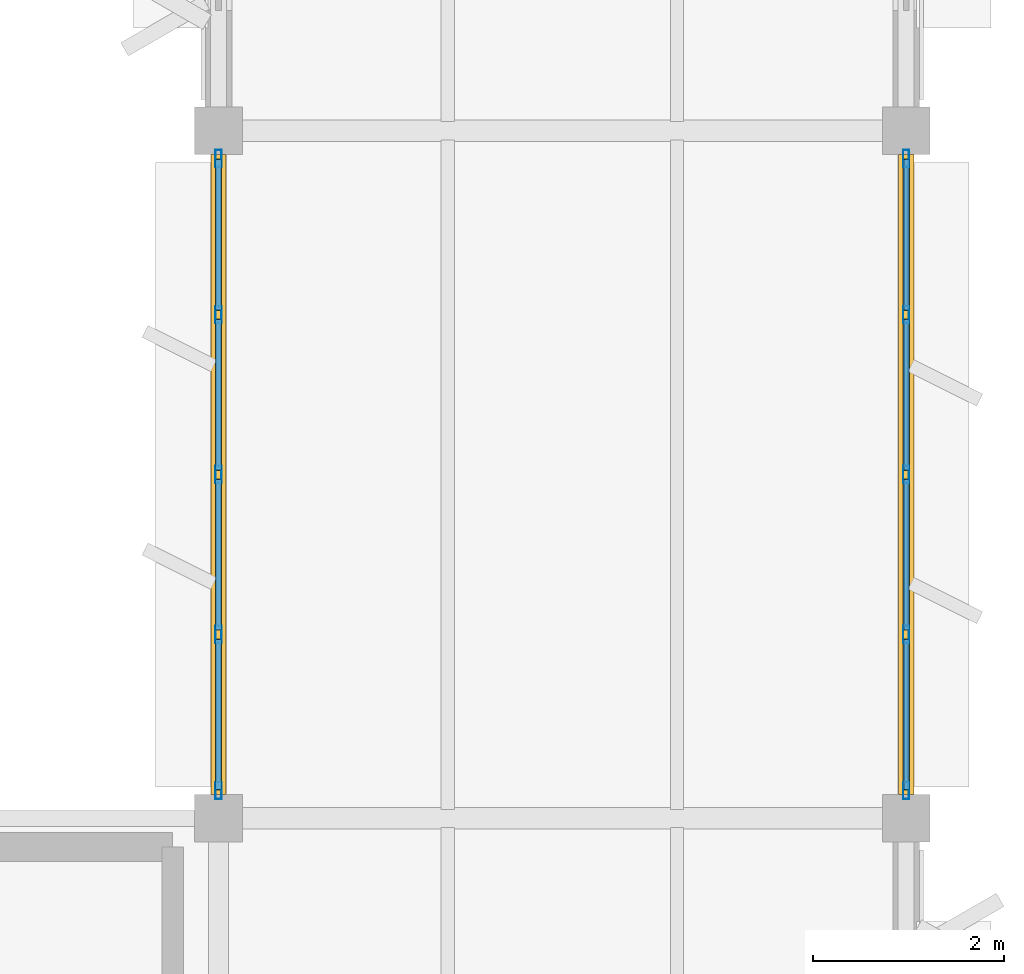
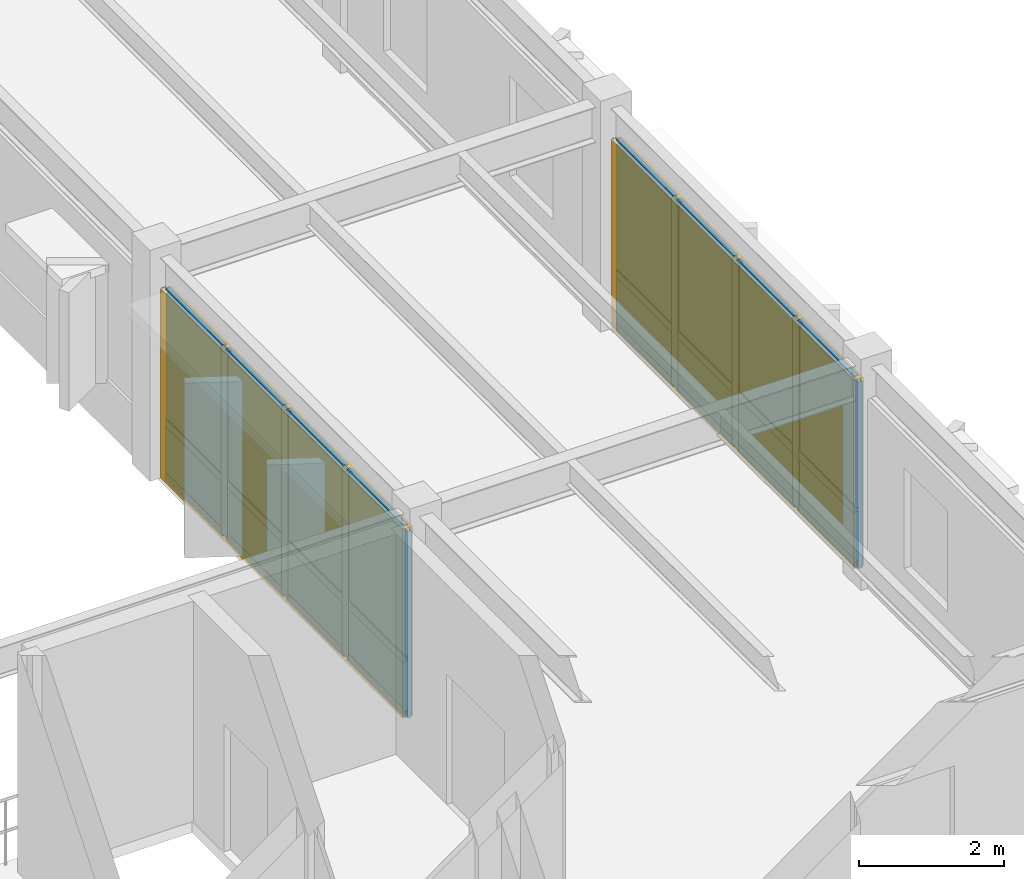
# One storey, part 12 of 23: 34 members, 16 plates, 2 curtain walls.
"""IFC4 building model written with IfcOpenShell, lengths in metres."""

from ifc_helpers import new_model, si_unit, direction, frame, origin, origin_2d, place, context, subcontext, project, spatial, rectangle, hollow_rectangle, extrude, material, layer, layer_set, material_profile, profile_set, type_object, element, aggregate, save


model = new_model("IFC4")

# Units and contexts
model_context = context("Model", 3, precision=1e-05, world=origin(), true_north=direction((0.0, 1.0)))
body_context = subcontext(model_context, "Body", "Model", "MODEL_VIEW")
ifc_project = project(units=[si_unit("LENGTHUNIT", "METRE"), si_unit("AREAUNIT", "SQUARE_METRE"), si_unit("VOLUMEUNIT", "CUBIC_METRE"), si_unit("PLANEANGLEUNIT", "RADIAN"), si_unit("MASSUNIT", "GRAM", prefix="KILO")], contexts=[model_context])

# Member
ifc_material_1 = material(Name="Anodized Aluminium 6063-T6", Category="aluminium")
ifc_material_profile_1 = material_profile(ifc_material_1, hollow_rectangle(XDim=0.06494140625, YDim=0.179931640625, WallThickness=0.00390625, at=origin_2d()), Name="ALU 65x180x4")
ifc_profile_set_1 = profile_set([ifc_material_profile_1], Name="Anodized Aluminium 6063-T6")
member_type_1 = type_object("IfcMemberType", Name="CWM-65X150", PredefinedType="MULLION", material=ifc_profile_set_1)
site_placement = place(None, origin())
building_placement = place(site_placement, origin())
storey_placement = place(building_placement, frame((0.0, 0.0, 21.89990234375)))
member_1_placement = place(storey_placement, frame((93.60009765625, 93.889892578125, 0.02001953125), z_axis=(0.0, 0.0, 1.0), x_axis=(1.0, 0.0, 0.0)))
member_1 = element("IfcMember", 1, at=member_1_placement, type_object=member_type_1, Name="Curtain wall mullion CW-L06-13-13-W-00", PredefinedType="MULLION", context=body_context, shape_type="SweptSolid", body=[
    extrude(hollow_rectangle(XDim=0.06494140625, YDim=0.179931640625, WallThickness=0.00390625, at=origin_2d()), origin(), (0.0, 0.0, 1.0), 3.152099609375),
])

member_2_placement = place(storey_placement, frame((93.60009765625, 95.52490234375, 0.02001953125), z_axis=(0.0, 0.0, 1.0), x_axis=(1.0, 0.0, 0.0)))
member_2 = element("IfcMember", 2, at=member_2_placement, type_object=member_type_1, Name="Curtain wall mullion CW-L06-13-13-W-01", PredefinedType="MULLION", context=body_context, shape_type="SweptSolid", body=[
    extrude(hollow_rectangle(XDim=0.06494140625, YDim=0.179931640625, WallThickness=0.00390625, at=origin_2d()), origin(), (0.0, 0.0, 1.0), 3.152099609375),
])

member_3_placement = place(storey_placement, frame((93.60009765625, 97.199951171875, 0.02001953125), z_axis=(0.0, 0.0, 1.0), x_axis=(1.0, 0.0, 0.0)))
member_3 = element("IfcMember", 3, at=member_3_placement, type_object=member_type_1, Name="Curtain wall mullion CW-L06-13-13-W-02", PredefinedType="MULLION", context=body_context, shape_type="SweptSolid", body=[
    extrude(hollow_rectangle(XDim=0.06494140625, YDim=0.179931640625, WallThickness=0.00390625, at=origin_2d()), origin(), (0.0, 0.0, 1.0), 3.152099609375),
])

member_4_placement = place(storey_placement, frame((93.60009765625, 98.875, 0.02001953125), z_axis=(0.0, 0.0, 1.0), x_axis=(1.0, 0.0, 0.0)))
member_4 = element("IfcMember", 4, at=member_4_placement, type_object=member_type_1, Name="Curtain wall mullion CW-L06-13-13-W-03", PredefinedType="MULLION", context=body_context, shape_type="SweptSolid", body=[
    extrude(hollow_rectangle(XDim=0.06494140625, YDim=0.179931640625, WallThickness=0.00390625, at=origin_2d()), origin(), (0.0, 0.0, 1.0), 3.152099609375),
])

member_5_placement = place(storey_placement, frame((93.60009765625, 100.510009765625, 0.02001953125), z_axis=(0.0, 0.0, 1.0), x_axis=(1.0, 0.0, 0.0)))
member_5 = element("IfcMember", 5, at=member_5_placement, type_object=member_type_1, Name="Curtain wall mullion CW-L06-13-13-W-04", PredefinedType="MULLION", context=body_context, shape_type="SweptSolid", body=[
    extrude(hollow_rectangle(XDim=0.06494140625, YDim=0.179931640625, WallThickness=0.00390625, at=origin_2d()), origin(), (0.0, 0.0, 1.0), 3.152099609375),
])

member_6_placement = place(storey_placement, frame((100.800048828125, 100.510009765625, 0.02001953125), z_axis=(0.0, 0.0, 1.0), x_axis=(1.0, 0.0, 0.0)))
member_6 = element("IfcMember", 6, at=member_6_placement, type_object=member_type_1, Name="Curtain wall mullion CW-L06-13-13-E-00", PredefinedType="MULLION", context=body_context, shape_type="SweptSolid", body=[
    extrude(hollow_rectangle(XDim=0.06494140625, YDim=0.179931640625, WallThickness=0.00390625, at=origin_2d()), origin(), (0.0, 0.0, 1.0), 3.152099609375),
])

member_7_placement = place(storey_placement, frame((100.800048828125, 98.875, 0.02001953125), z_axis=(0.0, 0.0, 1.0), x_axis=(1.0, 0.0, 0.0)))
member_7 = element("IfcMember", 7, at=member_7_placement, type_object=member_type_1, Name="Curtain wall mullion CW-L06-13-13-E-01", PredefinedType="MULLION", context=body_context, shape_type="SweptSolid", body=[
    extrude(hollow_rectangle(XDim=0.06494140625, YDim=0.179931640625, WallThickness=0.00390625, at=origin_2d()), origin(), (0.0, 0.0, 1.0), 3.152099609375),
])

member_8_placement = place(storey_placement, frame((100.800048828125, 97.199951171875, 0.02001953125), z_axis=(0.0, 0.0, 1.0), x_axis=(1.0, 0.0, 0.0)))
member_8 = element("IfcMember", 8, at=member_8_placement, type_object=member_type_1, Name="Curtain wall mullion CW-L06-13-13-E-02", PredefinedType="MULLION", context=body_context, shape_type="SweptSolid", body=[
    extrude(hollow_rectangle(XDim=0.06494140625, YDim=0.179931640625, WallThickness=0.00390625, at=origin_2d()), origin(), (0.0, 0.0, 1.0), 3.152099609375),
])

member_9_placement = place(storey_placement, frame((100.800048828125, 95.52490234375, 0.02001953125), z_axis=(0.0, 0.0, 1.0), x_axis=(1.0, 0.0, 0.0)))
member_9 = element("IfcMember", 9, at=member_9_placement, type_object=member_type_1, Name="Curtain wall mullion CW-L06-13-13-E-03", PredefinedType="MULLION", context=body_context, shape_type="SweptSolid", body=[
    extrude(hollow_rectangle(XDim=0.06494140625, YDim=0.179931640625, WallThickness=0.00390625, at=origin_2d()), origin(), (0.0, 0.0, 1.0), 3.152099609375),
])

member_10_placement = place(storey_placement, frame((100.800048828125, 93.889892578125, 0.02001953125), z_axis=(0.0, 0.0, 1.0), x_axis=(1.0, 0.0, 0.0)))
member_10 = element("IfcMember", 10, at=member_10_placement, type_object=member_type_1, Name="Curtain wall mullion CW-L06-13-13-E-04", PredefinedType="MULLION", context=body_context, shape_type="SweptSolid", body=[
    extrude(hollow_rectangle(XDim=0.06494140625, YDim=0.179931640625, WallThickness=0.00390625, at=origin_2d()), origin(), (0.0, 0.0, 1.0), 3.152099609375),
])

ifc_material_profile_2 = material_profile(ifc_material_1, hollow_rectangle(XDim=0.06494140625, YDim=0.139892578125, WallThickness=0.00390625, at=origin_2d()), Name="ALU 65x140x4")
ifc_profile_set_2 = profile_set([ifc_material_profile_2], Name="Anodized Aluminium 6063-T6")
member_type_2 = type_object("IfcMemberType", Name="CWT-65X120", PredefinedType="USERDEFINED", material=ifc_profile_set_2)
member_11_placement = place(storey_placement, frame((93.60009765625, 93.89990234375, 0.050048828125), z_axis=(0.0, 1.0, 0.0), x_axis=(-1.0, 0.0, 0.0)))
member_11 = element("IfcMember", 11, at=member_11_placement, type_object=member_type_2, Name="Curtain wall transom CW-L06-13-13-W-1.01", ObjectType="TRANSOM", PredefinedType="USERDEFINED", context=body_context, shape_type="SweptSolid", body=[
    extrude(hollow_rectangle(XDim=0.06494140625, YDim=0.139892578125, WallThickness=0.00390625, at=origin_2d()), origin(), (0.0, 0.0, 1.0), 1.5751953125),
])

member_12_placement = place(storey_placement, frame((93.60009765625, 95.574951171875, 0.050048828125), z_axis=(0.0, 1.0, 0.0), x_axis=(-1.0, 0.0, 0.0)))
member_12 = element("IfcMember", 12, at=member_12_placement, type_object=member_type_2, Name="Curtain wall transom CW-L06-13-13-W-1.02", ObjectType="TRANSOM", PredefinedType="USERDEFINED", context=body_context, shape_type="SweptSolid", body=[
    extrude(hollow_rectangle(XDim=0.06494140625, YDim=0.139892578125, WallThickness=0.00390625, at=origin_2d()), origin(), (0.0, 0.0, 1.0), 1.574951171875),
])

member_13_placement = place(storey_placement, frame((93.60009765625, 97.25, 0.050048828125), z_axis=(0.0, 1.0, 0.0), x_axis=(-1.0, 0.0, 0.0)))
member_13 = element("IfcMember", 13, at=member_13_placement, type_object=member_type_2, Name="Curtain wall transom CW-L06-13-13-W-1.03", ObjectType="TRANSOM", PredefinedType="USERDEFINED", context=body_context, shape_type="SweptSolid", body=[
    extrude(hollow_rectangle(XDim=0.06494140625, YDim=0.139892578125, WallThickness=0.00390625, at=origin_2d()), origin(), (0.0, 0.0, 1.0), 1.574951171875),
])

member_14_placement = place(storey_placement, frame((93.60009765625, 98.925048828125, 0.050048828125), z_axis=(0.0, 1.0, 0.0), x_axis=(-1.0, 0.0, 0.0)))
member_14 = element("IfcMember", 14, at=member_14_placement, type_object=member_type_2, Name="Curtain wall transom CW-L06-13-13-W-1.04", ObjectType="TRANSOM", PredefinedType="USERDEFINED", context=body_context, shape_type="SweptSolid", body=[
    extrude(hollow_rectangle(XDim=0.06494140625, YDim=0.139892578125, WallThickness=0.00390625, at=origin_2d()), origin(), (0.0, 0.0, 1.0), 1.574951171875),
])

member_15_placement = place(storey_placement, frame((93.60009765625, 93.89990234375, 0.9501953125), z_axis=(0.0, 1.0, 0.0), x_axis=(-1.0, 0.0, 0.0)))
member_15 = element("IfcMember", 15, at=member_15_placement, type_object=member_type_2, Name="Curtain wall transom CW-L06-13-13-W-2.01", ObjectType="TRANSOM", PredefinedType="USERDEFINED", context=body_context, shape_type="SweptSolid", body=[
    extrude(hollow_rectangle(XDim=0.06494140625, YDim=0.139892578125, WallThickness=0.00390625, at=origin_2d()), origin(), (0.0, 0.0, 1.0), 1.5751953125),
])

member_16_placement = place(storey_placement, frame((93.60009765625, 95.574951171875, 0.9501953125), z_axis=(0.0, 1.0, 0.0), x_axis=(-1.0, 0.0, 0.0)))
member_16 = element("IfcMember", 16, at=member_16_placement, type_object=member_type_2, Name="Curtain wall transom CW-L06-13-13-W-2.02", ObjectType="TRANSOM", PredefinedType="USERDEFINED", context=body_context, shape_type="SweptSolid", body=[
    extrude(hollow_rectangle(XDim=0.06494140625, YDim=0.139892578125, WallThickness=0.00390625, at=origin_2d()), origin(), (0.0, 0.0, 1.0), 1.574951171875),
])

member_17_placement = place(storey_placement, frame((93.60009765625, 97.25, 0.9501953125), z_axis=(0.0, 1.0, 0.0), x_axis=(-1.0, 0.0, 0.0)))
member_17 = element("IfcMember", 17, at=member_17_placement, type_object=member_type_2, Name="Curtain wall transom CW-L06-13-13-W-2.03", ObjectType="TRANSOM", PredefinedType="USERDEFINED", context=body_context, shape_type="SweptSolid", body=[
    extrude(hollow_rectangle(XDim=0.06494140625, YDim=0.139892578125, WallThickness=0.00390625, at=origin_2d()), origin(), (0.0, 0.0, 1.0), 1.574951171875),
])

member_18_placement = place(storey_placement, frame((93.60009765625, 98.925048828125, 0.9501953125), z_axis=(0.0, 1.0, 0.0), x_axis=(-1.0, 0.0, 0.0)))
member_18 = element("IfcMember", 18, at=member_18_placement, type_object=member_type_2, Name="Curtain wall transom CW-L06-13-13-W-2.04", ObjectType="TRANSOM", PredefinedType="USERDEFINED", context=body_context, shape_type="SweptSolid", body=[
    extrude(hollow_rectangle(XDim=0.06494140625, YDim=0.139892578125, WallThickness=0.00390625, at=origin_2d()), origin(), (0.0, 0.0, 1.0), 1.574951171875),
])

member_19_placement = place(storey_placement, frame((93.60009765625, 93.89990234375, 3.14208984375), z_axis=(0.0, 1.0, 0.0), x_axis=(-1.0, 0.0, 0.0)))
member_19 = element("IfcMember", 19, at=member_19_placement, type_object=member_type_2, Name="Curtain wall transom CW-L06-13-13-W-3.01", ObjectType="TRANSOM", PredefinedType="USERDEFINED", context=body_context, shape_type="SweptSolid", body=[
    extrude(hollow_rectangle(XDim=0.06494140625, YDim=0.139892578125, WallThickness=0.00390625, at=origin_2d()), origin(), (0.0, 0.0, 1.0), 1.5751953125),
])

member_20_placement = place(storey_placement, frame((93.60009765625, 95.574951171875, 3.14208984375), z_axis=(0.0, 1.0, 0.0), x_axis=(-1.0, 0.0, 0.0)))
member_20 = element("IfcMember", 20, at=member_20_placement, type_object=member_type_2, Name="Curtain wall transom CW-L06-13-13-W-3.02", ObjectType="TRANSOM", PredefinedType="USERDEFINED", context=body_context, shape_type="SweptSolid", body=[
    extrude(hollow_rectangle(XDim=0.06494140625, YDim=0.139892578125, WallThickness=0.00390625, at=origin_2d()), origin(), (0.0, 0.0, 1.0), 1.574951171875),
])

member_21_placement = place(storey_placement, frame((93.60009765625, 97.25, 3.14208984375), z_axis=(0.0, 1.0, 0.0), x_axis=(-1.0, 0.0, 0.0)))
member_21 = element("IfcMember", 21, at=member_21_placement, type_object=member_type_2, Name="Curtain wall transom CW-L06-13-13-W-3.03", ObjectType="TRANSOM", PredefinedType="USERDEFINED", context=body_context, shape_type="SweptSolid", body=[
    extrude(hollow_rectangle(XDim=0.06494140625, YDim=0.139892578125, WallThickness=0.00390625, at=origin_2d()), origin(), (0.0, 0.0, 1.0), 1.574951171875),
])

member_22_placement = place(storey_placement, frame((93.60009765625, 98.925048828125, 3.14208984375), z_axis=(0.0, 1.0, 0.0), x_axis=(-1.0, 0.0, 0.0)))
member_22 = element("IfcMember", 22, at=member_22_placement, type_object=member_type_2, Name="Curtain wall transom CW-L06-13-13-W-3.04", ObjectType="TRANSOM", PredefinedType="USERDEFINED", context=body_context, shape_type="SweptSolid", body=[
    extrude(hollow_rectangle(XDim=0.06494140625, YDim=0.139892578125, WallThickness=0.00390625, at=origin_2d()), origin(), (0.0, 0.0, 1.0), 1.574951171875),
])

member_23_placement = place(storey_placement, frame((100.800048828125, 100.5, 0.050048828125), z_axis=(0.0, -1.0, 0.0), x_axis=(1.0, 0.0, 0.0)))
member_23 = element("IfcMember", 23, at=member_23_placement, type_object=member_type_2, Name="Curtain wall transom CW-L06-13-13-E-1.01", ObjectType="TRANSOM", PredefinedType="USERDEFINED", context=body_context, shape_type="SweptSolid", body=[
    extrude(hollow_rectangle(XDim=0.06494140625, YDim=0.139892578125, WallThickness=0.00390625, at=origin_2d()), origin(), (0.0, 0.0, 1.0), 1.574951171875),
])

member_24_placement = place(storey_placement, frame((100.800048828125, 98.824951171875, 0.050048828125), z_axis=(0.0, -1.0, 0.0), x_axis=(1.0, 0.0, 0.0)))
member_24 = element("IfcMember", 24, at=member_24_placement, type_object=member_type_2, Name="Curtain wall transom CW-L06-13-13-E-1.02", ObjectType="TRANSOM", PredefinedType="USERDEFINED", context=body_context, shape_type="SweptSolid", body=[
    extrude(hollow_rectangle(XDim=0.06494140625, YDim=0.139892578125, WallThickness=0.00390625, at=origin_2d()), origin(), (0.0, 0.0, 1.0), 1.574951171875),
])

member_25_placement = place(storey_placement, frame((100.800048828125, 97.14990234375, 0.050048828125), z_axis=(0.0, -1.0, 0.0), x_axis=(1.0, 0.0, 0.0)))
member_25 = element("IfcMember", 25, at=member_25_placement, type_object=member_type_2, Name="Curtain wall transom CW-L06-13-13-E-1.03", ObjectType="TRANSOM", PredefinedType="USERDEFINED", context=body_context, shape_type="SweptSolid", body=[
    extrude(hollow_rectangle(XDim=0.06494140625, YDim=0.139892578125, WallThickness=0.00390625, at=origin_2d()), origin(), (0.0, 0.0, 1.0), 1.574951171875),
])

member_26_placement = place(storey_placement, frame((100.800048828125, 95.47509765625, 0.050048828125), z_axis=(0.0, -1.0, 0.0), x_axis=(1.0, 0.0, 0.0)))
member_26 = element("IfcMember", 26, at=member_26_placement, type_object=member_type_2, Name="Curtain wall transom CW-L06-13-13-E-1.04", ObjectType="TRANSOM", PredefinedType="USERDEFINED", context=body_context, shape_type="SweptSolid", body=[
    extrude(hollow_rectangle(XDim=0.06494140625, YDim=0.139892578125, WallThickness=0.00390625, at=origin_2d()), origin(), (0.0, 0.0, 1.0), 1.5751953125),
])

member_27_placement = place(storey_placement, frame((100.800048828125, 100.5, 0.9501953125), z_axis=(0.0, -1.0, 0.0), x_axis=(1.0, 0.0, 0.0)))
member_27 = element("IfcMember", 27, at=member_27_placement, type_object=member_type_2, Name="Curtain wall transom CW-L06-13-13-E-2.01", ObjectType="TRANSOM", PredefinedType="USERDEFINED", context=body_context, shape_type="SweptSolid", body=[
    extrude(hollow_rectangle(XDim=0.06494140625, YDim=0.139892578125, WallThickness=0.00390625, at=origin_2d()), origin(), (0.0, 0.0, 1.0), 1.574951171875),
])

member_28_placement = place(storey_placement, frame((100.800048828125, 98.824951171875, 0.9501953125), z_axis=(0.0, -1.0, 0.0), x_axis=(1.0, 0.0, 0.0)))
member_28 = element("IfcMember", 28, at=member_28_placement, type_object=member_type_2, Name="Curtain wall transom CW-L06-13-13-E-2.02", ObjectType="TRANSOM", PredefinedType="USERDEFINED", context=body_context, shape_type="SweptSolid", body=[
    extrude(hollow_rectangle(XDim=0.06494140625, YDim=0.139892578125, WallThickness=0.00390625, at=origin_2d()), origin(), (0.0, 0.0, 1.0), 1.574951171875),
])

member_29_placement = place(storey_placement, frame((100.800048828125, 97.14990234375, 0.9501953125), z_axis=(0.0, -1.0, 0.0), x_axis=(1.0, 0.0, 0.0)))
member_29 = element("IfcMember", 29, at=member_29_placement, type_object=member_type_2, Name="Curtain wall transom CW-L06-13-13-E-2.03", ObjectType="TRANSOM", PredefinedType="USERDEFINED", context=body_context, shape_type="SweptSolid", body=[
    extrude(hollow_rectangle(XDim=0.06494140625, YDim=0.139892578125, WallThickness=0.00390625, at=origin_2d()), origin(), (0.0, 0.0, 1.0), 1.574951171875),
])

member_30_placement = place(storey_placement, frame((100.800048828125, 95.47509765625, 0.9501953125), z_axis=(0.0, -1.0, 0.0), x_axis=(1.0, 0.0, 0.0)))
member_30 = element("IfcMember", 30, at=member_30_placement, type_object=member_type_2, Name="Curtain wall transom CW-L06-13-13-E-2.04", ObjectType="TRANSOM", PredefinedType="USERDEFINED", context=body_context, shape_type="SweptSolid", body=[
    extrude(hollow_rectangle(XDim=0.06494140625, YDim=0.139892578125, WallThickness=0.00390625, at=origin_2d()), origin(), (0.0, 0.0, 1.0), 1.5751953125),
])

member_31_placement = place(storey_placement, frame((100.800048828125, 100.5, 3.14208984375), z_axis=(0.0, -1.0, 0.0), x_axis=(1.0, 0.0, 0.0)))
member_31 = element("IfcMember", 31, at=member_31_placement, type_object=member_type_2, Name="Curtain wall transom CW-L06-13-13-E-3.01", ObjectType="TRANSOM", PredefinedType="USERDEFINED", context=body_context, shape_type="SweptSolid", body=[
    extrude(hollow_rectangle(XDim=0.06494140625, YDim=0.139892578125, WallThickness=0.00390625, at=origin_2d()), origin(), (0.0, 0.0, 1.0), 1.574951171875),
])

member_32_placement = place(storey_placement, frame((100.800048828125, 98.824951171875, 3.14208984375), z_axis=(0.0, -1.0, 0.0), x_axis=(1.0, 0.0, 0.0)))
member_32 = element("IfcMember", 32, at=member_32_placement, type_object=member_type_2, Name="Curtain wall transom CW-L06-13-13-E-3.02", ObjectType="TRANSOM", PredefinedType="USERDEFINED", context=body_context, shape_type="SweptSolid", body=[
    extrude(hollow_rectangle(XDim=0.06494140625, YDim=0.139892578125, WallThickness=0.00390625, at=origin_2d()), origin(), (0.0, 0.0, 1.0), 1.574951171875),
])

member_33_placement = place(storey_placement, frame((100.800048828125, 97.14990234375, 3.14208984375), z_axis=(0.0, -1.0, 0.0), x_axis=(1.0, 0.0, 0.0)))
member_33 = element("IfcMember", 33, at=member_33_placement, type_object=member_type_2, Name="Curtain wall transom CW-L06-13-13-E-3.03", ObjectType="TRANSOM", PredefinedType="USERDEFINED", context=body_context, shape_type="SweptSolid", body=[
    extrude(hollow_rectangle(XDim=0.06494140625, YDim=0.139892578125, WallThickness=0.00390625, at=origin_2d()), origin(), (0.0, 0.0, 1.0), 1.574951171875),
])

member_34_placement = place(storey_placement, frame((100.800048828125, 95.47509765625, 3.14208984375), z_axis=(0.0, -1.0, 0.0), x_axis=(1.0, 0.0, 0.0)))
member_34 = element("IfcMember", 34, at=member_34_placement, type_object=member_type_2, Name="Curtain wall transom CW-L06-13-13-E-3.04", ObjectType="TRANSOM", PredefinedType="USERDEFINED", context=body_context, shape_type="SweptSolid", body=[
    extrude(hollow_rectangle(XDim=0.06494140625, YDim=0.139892578125, WallThickness=0.00390625, at=origin_2d()), origin(), (0.0, 0.0, 1.0), 1.5751953125),
])

# Plate
ifc_material_2 = material(Name="Double Low-E Insulated Glazing Unit", Category="glass")
ifc_layer_1 = layer(ifc_material_2, 0.0380859375)
ifc_layer_set_1 = layer_set([ifc_layer_1], Name="Double Low-E Insulated Glazing Unit")
plate_type_1 = type_object("IfcPlateType", Name="CWP-IGU-38", PredefinedType="CURTAIN_PANEL", material=ifc_layer_set_1)
plate_1_placement = place(storey_placement, frame((93.60009765625, 94.6875, 0.989990234375), z_axis=(0.0, 0.0, 1.0), x_axis=(0.0, 1.0, 0.0)))
plate_1 = element("IfcPlate", 35, at=plate_1_placement, type_object=plate_type_1, Name="Curtain wall vision glazing CW-L06-13-13-W-01", PredefinedType="CURTAIN_PANEL", context=body_context, shape_type="SweptSolid", body=[
    extrude(rectangle(XDim=1.5849609375, YDim=0.0400390625, at=origin_2d()), origin(), (0.0, 0.0, 1.0), 2.14208984375),
])

plate_2_placement = place(storey_placement, frame((93.60009765625, 96.362548828125, 0.989990234375), z_axis=(0.0, 0.0, 1.0), x_axis=(0.0, 1.0, 0.0)))
plate_2 = element("IfcPlate", 36, at=plate_2_placement, type_object=plate_type_1, Name="Curtain wall vision glazing CW-L06-13-13-W-02", PredefinedType="CURTAIN_PANEL", context=body_context, shape_type="SweptSolid", body=[
    extrude(rectangle(XDim=1.5849609375, YDim=0.0400390625, at=origin_2d()), origin(), (0.0, 0.0, 1.0), 2.14208984375),
])

plate_3_placement = place(storey_placement, frame((93.60009765625, 98.03759765625, 0.989990234375), z_axis=(0.0, 0.0, 1.0), x_axis=(0.0, 1.0, 0.0)))
plate_3 = element("IfcPlate", 37, at=plate_3_placement, type_object=plate_type_1, Name="Curtain wall vision glazing CW-L06-13-13-W-03", PredefinedType="CURTAIN_PANEL", context=body_context, shape_type="SweptSolid", body=[
    extrude(rectangle(XDim=1.5849609375, YDim=0.0400390625, at=origin_2d()), origin(), (0.0, 0.0, 1.0), 2.14208984375),
])

plate_4_placement = place(storey_placement, frame((93.60009765625, 99.71240234375, 0.989990234375), z_axis=(0.0, 0.0, 1.0), x_axis=(0.0, 1.0, 0.0)))
plate_4 = element("IfcPlate", 38, at=plate_4_placement, type_object=plate_type_1, Name="Curtain wall vision glazing CW-L06-13-13-W-04", PredefinedType="CURTAIN_PANEL", context=body_context, shape_type="SweptSolid", body=[
    extrude(rectangle(XDim=1.5849609375, YDim=0.0400390625, at=origin_2d()), origin(), (0.0, 0.0, 1.0), 2.14208984375),
])

plate_5_placement = place(storey_placement, frame((100.800048828125, 99.71240234375, 0.989990234375), z_axis=(0.0, 0.0, 1.0), x_axis=(0.0, -1.0, 0.0)))
plate_5 = element("IfcPlate", 39, at=plate_5_placement, type_object=plate_type_1, Name="Curtain wall vision glazing CW-L06-13-13-E-01", PredefinedType="CURTAIN_PANEL", context=body_context, shape_type="SweptSolid", body=[
    extrude(rectangle(XDim=1.5849609375, YDim=0.0400390625, at=origin_2d()), origin(), (0.0, 0.0, 1.0), 2.14208984375),
])

plate_6_placement = place(storey_placement, frame((100.800048828125, 98.03759765625, 0.989990234375), z_axis=(0.0, 0.0, 1.0), x_axis=(0.0, -1.0, 0.0)))
plate_6 = element("IfcPlate", 40, at=plate_6_placement, type_object=plate_type_1, Name="Curtain wall vision glazing CW-L06-13-13-E-02", PredefinedType="CURTAIN_PANEL", context=body_context, shape_type="SweptSolid", body=[
    extrude(rectangle(XDim=1.5849609375, YDim=0.0400390625, at=origin_2d()), origin(), (0.0, 0.0, 1.0), 2.14208984375),
])

plate_7_placement = place(storey_placement, frame((100.800048828125, 96.362548828125, 0.989990234375), z_axis=(0.0, 0.0, 1.0), x_axis=(0.0, -1.0, 0.0)))
plate_7 = element("IfcPlate", 41, at=plate_7_placement, type_object=plate_type_1, Name="Curtain wall vision glazing CW-L06-13-13-E-03", PredefinedType="CURTAIN_PANEL", context=body_context, shape_type="SweptSolid", body=[
    extrude(rectangle(XDim=1.5849609375, YDim=0.0400390625, at=origin_2d()), origin(), (0.0, 0.0, 1.0), 2.14208984375),
])

plate_8_placement = place(storey_placement, frame((100.800048828125, 94.6875, 0.989990234375), z_axis=(0.0, 0.0, 1.0), x_axis=(0.0, -1.0, 0.0)))
plate_8 = element("IfcPlate", 42, at=plate_8_placement, type_object=plate_type_1, Name="Curtain wall vision glazing CW-L06-13-13-E-04", PredefinedType="CURTAIN_PANEL", context=body_context, shape_type="SweptSolid", body=[
    extrude(rectangle(XDim=1.5849609375, YDim=0.0400390625, at=origin_2d()), origin(), (0.0, 0.0, 1.0), 2.14208984375),
])

ifc_material_3 = material(Name="Insulated Bronze Aluminium Spandrel", Category="aluminium")
ifc_layer_2 = layer(ifc_material_3, 0.06005859375)
ifc_layer_set_2 = layer_set([ifc_layer_2], Name="Insulated Bronze Aluminium Spandrel")
plate_type_2 = type_object("IfcPlateType", Name="CWP-SPN-60", PredefinedType="CURTAIN_PANEL", material=ifc_layer_set_2)
plate_9_placement = place(storey_placement, frame((93.60009765625, 94.6875, 0.080078125), z_axis=(0.0, 0.0, 1.0), x_axis=(0.0, 1.0, 0.0)))
plate_9 = element("IfcPlate", 43, at=plate_9_placement, type_object=plate_type_2, Name="Curtain wall spandrel panel CW-L06-13-13-W-01", PredefinedType="CURTAIN_PANEL", context=body_context, shape_type="SweptSolid", body=[
    extrude(rectangle(XDim=1.5849609375, YDim=0.06005859375, at=origin_2d()), origin(), (0.0, 0.0, 1.0), 0.840087890625),
])

plate_10_placement = place(storey_placement, frame((93.60009765625, 96.362548828125, 0.080078125), z_axis=(0.0, 0.0, 1.0), x_axis=(0.0, 1.0, 0.0)))
plate_10 = element("IfcPlate", 44, at=plate_10_placement, type_object=plate_type_2, Name="Curtain wall spandrel panel CW-L06-13-13-W-02", PredefinedType="CURTAIN_PANEL", context=body_context, shape_type="SweptSolid", body=[
    extrude(rectangle(XDim=1.5849609375, YDim=0.06005859375, at=origin_2d()), origin(), (0.0, 0.0, 1.0), 0.840087890625),
])

plate_11_placement = place(storey_placement, frame((93.60009765625, 98.03759765625, 0.080078125), z_axis=(0.0, 0.0, 1.0), x_axis=(0.0, 1.0, 0.0)))
plate_11 = element("IfcPlate", 45, at=plate_11_placement, type_object=plate_type_2, Name="Curtain wall spandrel panel CW-L06-13-13-W-03", PredefinedType="CURTAIN_PANEL", context=body_context, shape_type="SweptSolid", body=[
    extrude(rectangle(XDim=1.5849609375, YDim=0.06005859375, at=origin_2d()), origin(), (0.0, 0.0, 1.0), 0.840087890625),
])

plate_12_placement = place(storey_placement, frame((93.60009765625, 99.71240234375, 0.080078125), z_axis=(0.0, 0.0, 1.0), x_axis=(0.0, 1.0, 0.0)))
plate_12 = element("IfcPlate", 46, at=plate_12_placement, type_object=plate_type_2, Name="Curtain wall spandrel panel CW-L06-13-13-W-04", PredefinedType="CURTAIN_PANEL", context=body_context, shape_type="SweptSolid", body=[
    extrude(rectangle(XDim=1.5849609375, YDim=0.06005859375, at=origin_2d()), origin(), (0.0, 0.0, 1.0), 0.840087890625),
])

plate_13_placement = place(storey_placement, frame((100.800048828125, 99.71240234375, 0.080078125), z_axis=(0.0, 0.0, 1.0), x_axis=(0.0, -1.0, 0.0)))
plate_13 = element("IfcPlate", 47, at=plate_13_placement, type_object=plate_type_2, Name="Curtain wall spandrel panel CW-L06-13-13-E-01", PredefinedType="CURTAIN_PANEL", context=body_context, shape_type="SweptSolid", body=[
    extrude(rectangle(XDim=1.5849609375, YDim=0.06005859375, at=origin_2d()), origin(), (0.0, 0.0, 1.0), 0.840087890625),
])

plate_14_placement = place(storey_placement, frame((100.800048828125, 98.03759765625, 0.080078125), z_axis=(0.0, 0.0, 1.0), x_axis=(0.0, -1.0, 0.0)))
plate_14 = element("IfcPlate", 48, at=plate_14_placement, type_object=plate_type_2, Name="Curtain wall spandrel panel CW-L06-13-13-E-02", PredefinedType="CURTAIN_PANEL", context=body_context, shape_type="SweptSolid", body=[
    extrude(rectangle(XDim=1.5849609375, YDim=0.06005859375, at=origin_2d()), origin(), (0.0, 0.0, 1.0), 0.840087890625),
])

plate_15_placement = place(storey_placement, frame((100.800048828125, 96.362548828125, 0.080078125), z_axis=(0.0, 0.0, 1.0), x_axis=(0.0, -1.0, 0.0)))
plate_15 = element("IfcPlate", 49, at=plate_15_placement, type_object=plate_type_2, Name="Curtain wall spandrel panel CW-L06-13-13-E-03", PredefinedType="CURTAIN_PANEL", context=body_context, shape_type="SweptSolid", body=[
    extrude(rectangle(XDim=1.5849609375, YDim=0.06005859375, at=origin_2d()), origin(), (0.0, 0.0, 1.0), 0.840087890625),
])

plate_16_placement = place(storey_placement, frame((100.800048828125, 94.6875, 0.080078125), z_axis=(0.0, 0.0, 1.0), x_axis=(0.0, -1.0, 0.0)))
plate_16 = element("IfcPlate", 50, at=plate_16_placement, type_object=plate_type_2, Name="Curtain wall spandrel panel CW-L06-13-13-E-04", PredefinedType="CURTAIN_PANEL", context=body_context, shape_type="SweptSolid", body=[
    extrude(rectangle(XDim=1.5849609375, YDim=0.06005859375, at=origin_2d()), origin(), (0.0, 0.0, 1.0), 0.840087890625),
])

# Site, building, storey
site = spatial("IfcSite", under=ifc_project, at=site_placement, CompositionType="ELEMENT")
building = spatial("IfcBuilding", under=site, at=building_placement, Name="Sillqori Civic Hall", CompositionType="ELEMENT")
storey = spatial("IfcBuildingStorey", under=building, at=storey_placement, Name="L06", CompositionType="ELEMENT", Elevation=21.89990234375)

# Curtain wall
ifc_material_4 = material(Name="Anodized Aluminium Curtain Wall System", Category="aluminium")
curtain_wall_type = type_object("IfcCurtainWallType", Name="CW-EX-375", PredefinedType="NOTDEFINED", material=ifc_material_4)
curtain_wall_1_placement = place(storey_placement, frame((93.60009765625, 97.199951171875, 0.000244140625), z_axis=(0.0, 0.0, 1.0), x_axis=(0.0, 1.0, 0.0)))
curtain_wall_1 = element("IfcCurtainWall", 51, at=curtain_wall_1_placement, inside=storey, type_object=curtain_wall_type, Name="L06 unitised curtain wall CW-L06-13-13-W", PredefinedType="NOTDEFINED", context=body_context, shape_type="SweptSolid", body=[
    extrude(rectangle(XDim=6.699951171875, YDim=0.159912109375, at=origin_2d()), origin(), (0.0, 0.0, 1.0), 3.19189453125),
])

aggregate(curtain_wall_1, [member_1, member_2, member_3, member_4, member_5, member_11, member_12, member_13, member_14, member_15, member_16, member_17, member_18, member_19, member_20, member_21, member_22, plate_9, plate_1, plate_10, plate_2, plate_11, plate_3, plate_12, plate_4])

curtain_wall_2_placement = place(storey_placement, frame((100.800048828125, 97.199951171875, 0.000244140625), z_axis=(0.0, 0.0, 1.0), x_axis=(0.0, -1.0, 0.0)))
curtain_wall_2 = element("IfcCurtainWall", 52, at=curtain_wall_2_placement, inside=storey, type_object=curtain_wall_type, Name="L06 unitised curtain wall CW-L06-13-13-E", PredefinedType="NOTDEFINED", context=body_context, shape_type="SweptSolid", body=[
    extrude(rectangle(XDim=6.699951171875, YDim=0.159912109375, at=origin_2d()), origin(), (0.0, 0.0, 1.0), 3.19189453125),
])

aggregate(curtain_wall_2, [member_6, member_7, member_8, member_9, member_10, member_23, member_24, member_25, member_26, member_27, member_28, member_29, member_30, member_31, member_32, member_33, member_34, plate_13, plate_5, plate_14, plate_6, plate_15, plate_7, plate_16, plate_8])

save(model, "model.ifc")
